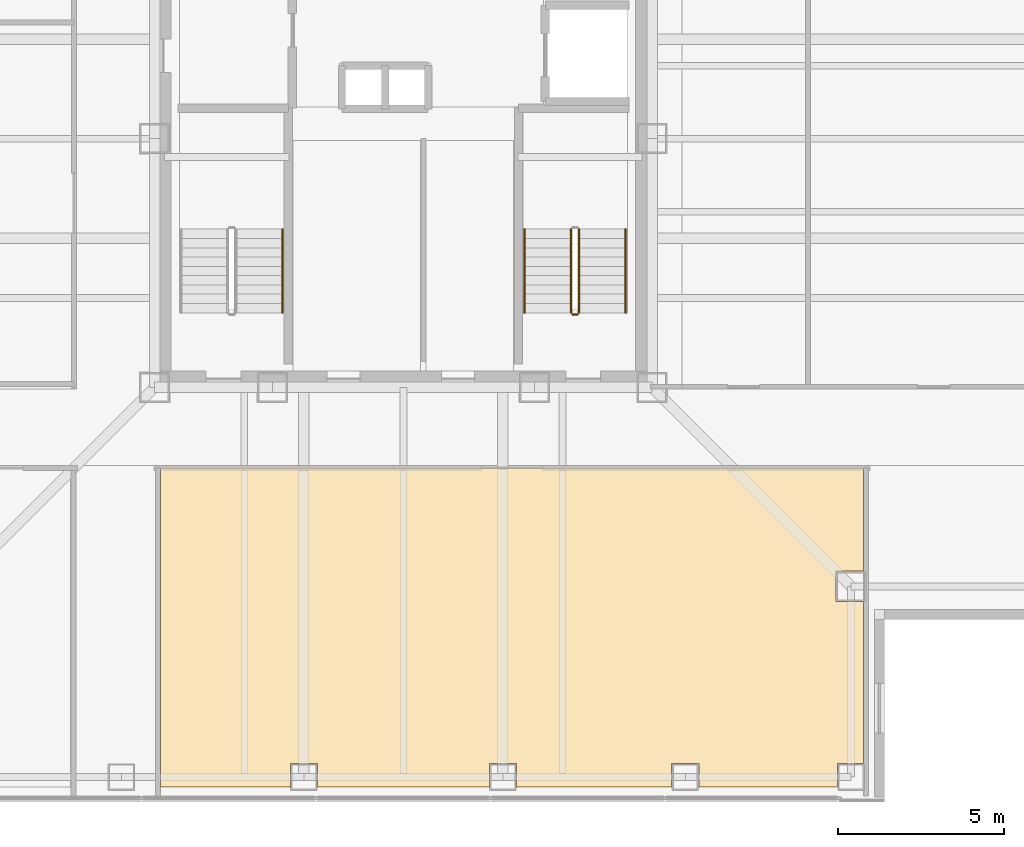
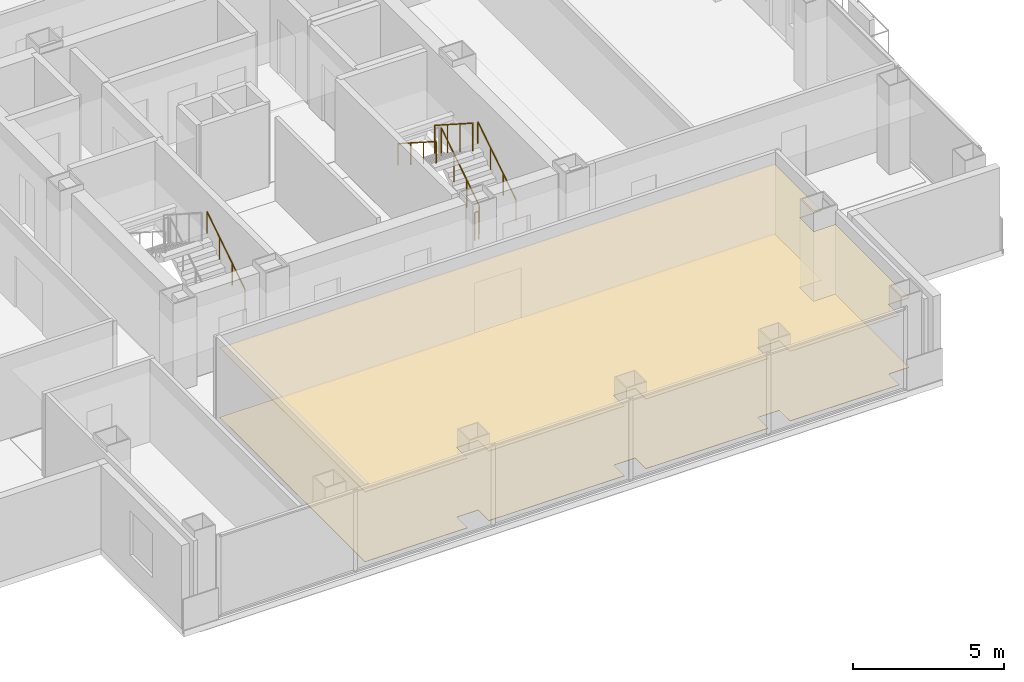
# One storey, part 13 of 17: 6 railings, 2 coverings.
"""IFC4 building model written with IfcOpenShell, lengths in metres."""

from ifc_helpers import new_model, si_unit, direction, frame, origin, origin_2d, place, context, subcontext, project, spatial, polyline, circle, outline, extrude, material, layer, layer_set, type_object, element, save


model = new_model("IFC4")

# Units and contexts
model_context = context("Model", 3, precision=1e-05, world=origin(), true_north=direction((0.0, 1.0)))
body_context = subcontext(model_context, "Body", "Model", "MODEL_VIEW")
ifc_project = project(units=[si_unit("LENGTHUNIT", "METRE"), si_unit("AREAUNIT", "SQUARE_METRE"), si_unit("VOLUMEUNIT", "CUBIC_METRE"), si_unit("PLANEANGLEUNIT", "RADIAN"), si_unit("MASSUNIT", "GRAM", prefix="KILO")], contexts=[model_context])

# Site, building, storey
site_placement = place(None, origin())
site = spatial("IfcSite", under=ifc_project, at=site_placement, CompositionType="ELEMENT")
building_placement = place(site_placement, origin())
building = spatial("IfcBuilding", under=site, at=building_placement, Name="Trevonay Congress Spire", CompositionType="ELEMENT")
storey_placement = place(building_placement, frame((0.0, 0.0, 187.800048828125)))
storey = spatial("IfcBuildingStorey", under=building, at=storey_placement, Name="L48", CompositionType="ELEMENT", Elevation=187.800048828125)

# Coverings
ifc_material_1 = material(Name="Acoustic Mineral Fibre Board", Category="gypsum")
ifc_layer_1 = layer(ifc_material_1, 0.02490234375, Name="Acoustic Mineral Fibre Board")
ifc_layer_set_1 = layer_set([ifc_layer_1], Name="Acoustic Mineral Fibre Board")
covering_type_1 = type_object("IfcCoveringType", Name="COV-CEIL-ACOUSTIC", PredefinedType="CEILING", material=ifc_layer_set_1)
covering_1_placement = place(storey_placement, frame((0.0, 0.0, 2.81005859375)))
element("IfcCovering", 1, at=covering_1_placement, inside=storey, type_object=covering_type_1, Name="L48 Grand International Arbitration Hearing Hall acoustic suspended ceiling", PredefinedType="CEILING", context=body_context, shape_type="SweptSolid", body=[
    extrude(outline(polyline([(-7.320068359375, -19.550048828125), (-7.320068359375, -9.929931640625), (13.8701171875, -9.929931640625), (13.8701171875, -13.0400390625), (13.0400390625, -13.0400390625), (13.0400390625, -13.9599609375), (13.8701171875, -13.9599609375), (13.8701171875, -18.840087890625), (13.090087890625, -18.840087890625), (13.090087890625, -19.550048828125), (8.909912109375, -19.550048828125), (8.909912109375, -18.840087890625), (8.090087890625, -18.840087890625), (8.090087890625, -19.550048828125), (3.409912109375, -19.550048828125), (3.409912109375, -18.840087890625), (2.590087890625, -18.840087890625), (2.590087890625, -19.550048828125), (-2.590087890625, -19.550048828125), (-2.590087890625, -18.840087890625), (-3.409912109375, -18.840087890625), (-3.409912109375, -19.550048828125), (-7.320068359375, -19.550048828125)])), origin(), (0.0, 0.0, 1.0), 0.02490234375),
])
ifc_material_2 = material(Name="Engineered Oak Flooring", Category="wood")
ifc_layer_2 = layer(ifc_material_2, 0.01806640625, Name="Engineered Oak Flooring")
ifc_layer_set_2 = layer_set([ifc_layer_2], Name="Engineered Oak Flooring")
covering_type_2 = type_object("IfcCoveringType", Name="COV-FLOOR-TIMBER", PredefinedType="FLOORING", material=ifc_layer_set_2)
covering_2_placement = place(storey_placement, origin())
element("IfcCovering", 2, at=covering_2_placement, inside=storey, type_object=covering_type_2, Name="L48 Grand International Arbitration Hearing Hall floor finish", PredefinedType="FLOORING", context=body_context, shape_type="SweptSolid", body=[
    extrude(outline(polyline([(-7.320068359375, -19.550048828125), (-7.320068359375, -9.929931640625), (13.8701171875, -9.929931640625), (13.8701171875, -13.0400390625), (13.0400390625, -13.0400390625), (13.0400390625, -13.9599609375), (13.8701171875, -13.9599609375), (13.8701171875, -18.840087890625), (13.090087890625, -18.840087890625), (13.090087890625, -19.550048828125), (8.909912109375, -19.550048828125), (8.909912109375, -18.840087890625), (8.090087890625, -18.840087890625), (8.090087890625, -19.550048828125), (3.409912109375, -19.550048828125), (3.409912109375, -18.840087890625), (2.590087890625, -18.840087890625), (2.590087890625, -19.550048828125), (-2.590087890625, -19.550048828125), (-2.590087890625, -18.840087890625), (-3.409912109375, -18.840087890625), (-3.409912109375, -19.550048828125), (-7.320068359375, -19.550048828125)])), origin(), (0.0, 0.0, 1.0), 0.01806640625),
])

# Railings
ifc_material_3 = material(Name="Pale Anodised Aluminium EN AW-6063-T6", Category="aluminium")
railing_type_1 = type_object("IfcRailingType", Name="RAL-STAIR-GUARD-110", PredefinedType="GUARDRAIL", material=ifc_material_3)
railing_1_placement = place(storey_placement, frame((5.300048828125, -5.25, 0.179931640625)))
element("IfcRailing", 3, at=railing_1_placement, inside=storey, type_object=railing_type_1, Name="L48 ST-2 stair guard 1", PredefinedType="GUARDRAIL", context=body_context, shape_type="SweptSolid", body=[
    extrude(circle(Radius=0.02392578125, at=origin_2d()), frame((0.0, 0.0, 1.1259765625), z_axis=(0.0, 0.841162588446, 0.540782303519), x_axis=(-1.0, 0.0, 0.0)), (0.0, 0.0, 1.0), 2.995849609375),
    extrude(circle(Radius=0.02099609375, at=origin_2d()), origin(), (0.0, 0.0, 1.0), 1.101806640625),
    extrude(circle(Radius=0.02099609375, at=origin_2d()), frame((0.0, 0.840087890625, 0.5400390625)), (0.0, 0.0, 1.0), 1.101806640625),
    extrude(circle(Radius=0.02099609375, at=origin_2d()), frame((0.0, 1.679931640625, 1.080078125)), (0.0, 0.0, 1.0), 1.101806640625),
    extrude(circle(Radius=0.02099609375, at=origin_2d()), frame((0.0, 2.52001953125, 1.6201171875)), (0.0, 0.0, 1.0), 1.101806640625),
])
railing_2_placement = place(storey_placement, frame((5.050048828125, -2.72998046875, 1.97998046875)))
element("IfcRailing", 4, at=railing_2_placement, inside=storey, type_object=railing_type_1, Name="L48 ST-2 stair guard 3", PredefinedType="GUARDRAIL", context=body_context, shape_type="SweptSolid", body=[
    extrude(circle(Radius=0.02392578125, at=origin_2d()), frame((0.0, 0.0, 1.1259765625), z_axis=(0.0, -0.841199657755, 0.540724639528), x_axis=(1.0, 0.0, 0.0)), (0.0, 0.0, 1.0), 2.995849609375),
    extrude(circle(Radius=0.02099609375, at=origin_2d()), origin(), (0.0, 0.0, 1.0), 1.101806640625),
    extrude(circle(Radius=0.02099609375, at=origin_2d()), frame((0.0, -0.840087890625, 0.5400390625)), (0.0, 0.0, 1.0), 1.101806640625),
    extrude(circle(Radius=0.02099609375, at=origin_2d()), frame((0.0, -1.679931640625, 1.079833984375)), (0.0, 0.0, 1.0), 1.101806640625),
    extrude(circle(Radius=0.02099609375, at=origin_2d()), frame((0.0, -2.52001953125, 1.619873046875)), (0.0, 0.0, 1.0), 1.101806640625),
])
railing_3_placement = place(storey_placement, frame((5.25, -5.300048828125, 0.0)))
element("IfcRailing", 5, at=railing_3_placement, inside=storey, type_object=railing_type_1, Name="L48 ST-2 stair guard 4", PredefinedType="GUARDRAIL", context=body_context, shape_type="SweptSolid", body=[
    extrude(circle(Radius=0.02392578125, at=origin_2d()), frame((0.0, 0.0, 1.1259765625), z_axis=(-1.0, 0.0, 0.0), x_axis=(0.0, -1.0, 0.0)), (0.0, 0.0, 1.0), 0.14990234375),
    extrude(circle(Radius=0.02099609375, at=origin_2d()), origin(), (0.0, 0.0, 1.0), 1.101806640625),
    extrude(circle(Radius=0.02099609375, at=origin_2d()), frame((-0.14990234375, 0.0, 0.0)), (0.0, 0.0, 1.0), 1.101806640625),
])
railing_type_2 = type_object("IfcRailingType", Name="RAL-STAIR-HANDRAIL", PredefinedType="HANDRAIL", material=ifc_material_3)
for number, where, name in (
    (6, (-3.64990234375, -5.25, 0.179931640625), "L48 ST-1 stair handrail 1"),
    (7, (6.699951171875, -5.25, 0.179931640625), "L48 ST-2 stair handrail 1"),
):
    element("IfcRailing", number, at=place(storey_placement, frame(where)), inside=storey, type_object=railing_type_2, Name=name, PredefinedType="HANDRAIL", context=body_context, shape_type="SweptSolid", body=[
        extrude(circle(Radius=0.02392578125, at=origin_2d()), frame((0.0, 0.0, 0.8759765625), z_axis=(0.0, 0.841162588446, 0.540782303519), x_axis=(-1.0, 0.0, 0.0)), (0.0, 0.0, 1.0), 2.995849609375),
        extrude(circle(Radius=0.02099609375, at=origin_2d()), origin(), (0.0, 0.0, 1.0), 0.851806640625),
        extrude(circle(Radius=0.02099609375, at=origin_2d()), frame((0.0, 0.840087890625, 0.5400390625)), (0.0, 0.0, 1.0), 0.851806640625),
        extrude(circle(Radius=0.02099609375, at=origin_2d()), frame((0.0, 1.679931640625, 1.080078125)), (0.0, 0.0, 1.0), 0.851806640625),
        extrude(circle(Radius=0.02099609375, at=origin_2d()), frame((0.0, 2.52001953125, 1.6201171875)), (0.0, 0.0, 1.0), 0.851806640625),
    ])
railing_4_placement = place(storey_placement, frame((3.64990234375, -2.72998046875, 1.97998046875)))
element("IfcRailing", 8, at=railing_4_placement, inside=storey, type_object=railing_type_2, Name="L48 ST-2 stair handrail 2", PredefinedType="HANDRAIL", context=body_context, shape_type="SweptSolid", body=[
    extrude(circle(Radius=0.02392578125, at=origin_2d()), frame((0.0, 0.0, 0.8759765625), z_axis=(0.0, -0.841199657755, 0.540724639528), x_axis=(1.0, 0.0, 0.0)), (0.0, 0.0, 1.0), 2.995849609375),
    extrude(circle(Radius=0.02099609375, at=origin_2d()), origin(), (0.0, 0.0, 1.0), 0.851806640625),
    extrude(circle(Radius=0.02099609375, at=origin_2d()), frame((0.0, -0.840087890625, 0.5400390625)), (0.0, 0.0, 1.0), 0.851806640625),
    extrude(circle(Radius=0.02099609375, at=origin_2d()), frame((0.0, -1.679931640625, 1.079833984375)), (0.0, 0.0, 1.0), 0.851806640625),
    extrude(circle(Radius=0.02099609375, at=origin_2d()), frame((0.0, -2.52001953125, 1.619873046875)), (0.0, 0.0, 1.0), 0.851806640625),
])

save(model, "model.ifc")
